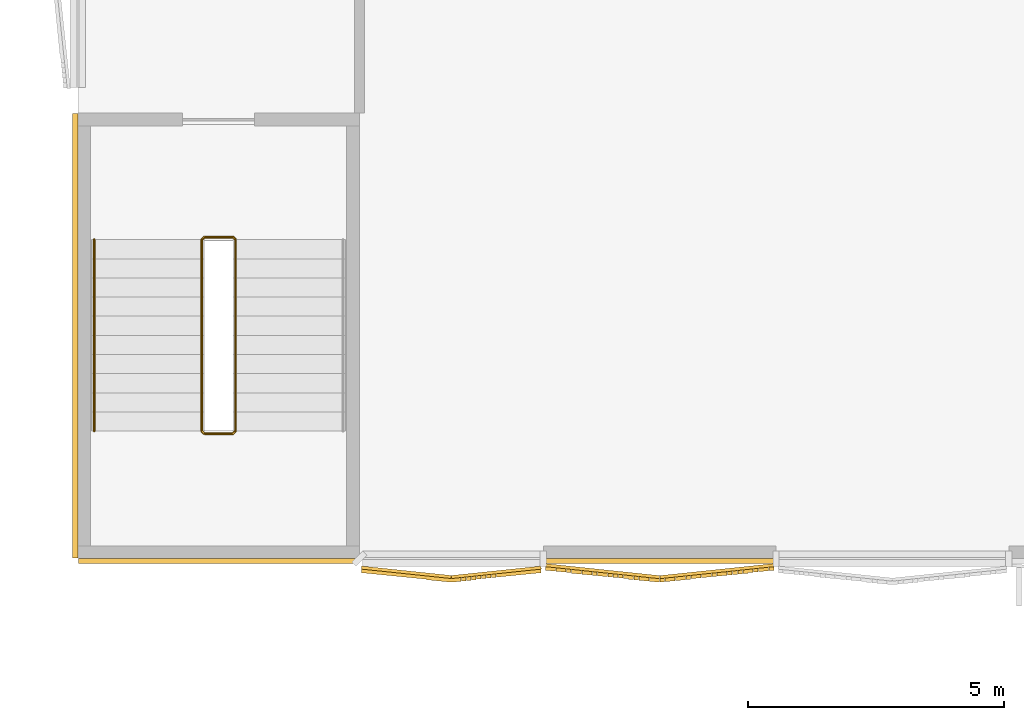
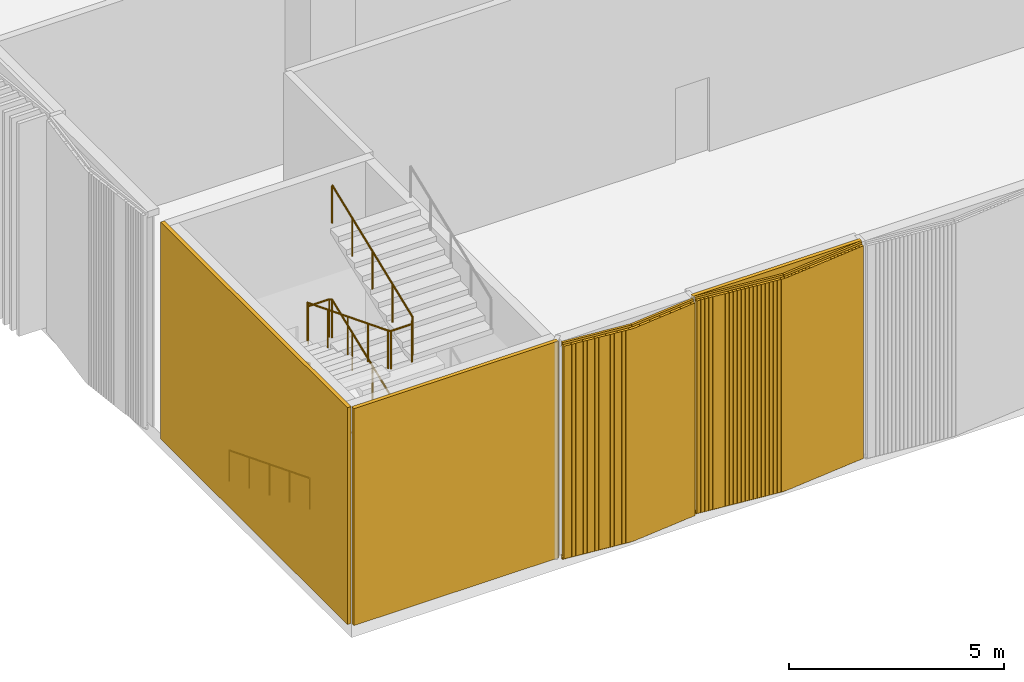
# One storey, part 20 of 32: 5 coverings, 3 railings.
"""IFC4 building model written with IfcOpenShell, lengths in metres."""

from ifc_helpers import new_model, si_unit, direction, frame, frame_2d, origin, origin_2d, place, context, subcontext, project, spatial, rectangle, circle, extrude, source, transform, mapped, material, layer, layer_set, type_object, element, save


model = new_model("IFC4")

# Units and contexts
model_context = context("Model", 3, precision=1e-05, world=origin(), true_north=direction((0.0, 1.0)))
body_context = subcontext(model_context, "Body", "Model", "MODEL_VIEW")
ifc_project = project(units=[si_unit("LENGTHUNIT", "METRE"), si_unit("AREAUNIT", "SQUARE_METRE"), si_unit("VOLUMEUNIT", "CUBIC_METRE"), si_unit("PLANEANGLEUNIT", "RADIAN"), si_unit("MASSUNIT", "GRAM", prefix="KILO")], contexts=[model_context])

# Site, building, storey
site_placement = place(None, origin())
site = spatial("IfcSite", under=ifc_project, at=site_placement, CompositionType="ELEMENT")
building_placement = place(site_placement, origin())
building = spatial("IfcBuilding", under=site, at=building_placement, Name="Tamra Quay Hotel Tower", CompositionType="ELEMENT")
storey_placement = place(building_placement, frame((0.0, 0.0, 7.5)))
storey = spatial("IfcBuildingStorey", under=building, at=storey_placement, Name="L01", CompositionType="ELEMENT", Elevation=7.5)

# Coverings
ifc_material_1 = material(Name="Precast concrete M60 terracotta-coloured pierced relief", Category="masonry")
ifc_layer = layer(ifc_material_1, 0.10009765625)
ifc_layer_set = layer_set([ifc_layer], Name="PIERCED RELIEF PANEL 100")
covering_type_1 = type_object("IfcCoveringType", Name="PIERCED RELIEF PANEL 100", PredefinedType="CLADDING", material=ifc_layer_set)
covering_1_placement = place(storey_placement, frame((-77.734619140625, -32.050048828125, 0.0), z_axis=(0.0, 0.0, 1.0), x_axis=(1.0, 0.0, 0.0)))
element("IfcCovering", 1, at=covering_1_placement, inside=storey, type_object=covering_type_1, Name="Relief panel L01.SW.12", PredefinedType="CLADDING", context=body_context, shape_type="SweptSolid", body=[
    extrude(rectangle(XDim=4.526123046875, YDim=0.10009765625, at=origin_2d()), origin(), (0.0, 0.0, 1.0), 6.14990234375),
])
covering_2_placement = place(storey_placement, frame((-89.14990234375, -27.64990234375, 0.0), z_axis=(0.0, 0.0, 1.0), x_axis=(0.0, -1.0, 0.0)))
element("IfcCovering", 2, at=covering_2_placement, inside=storey, type_object=covering_type_1, Name="Relief panel L01.PS2.2", PredefinedType="CLADDING", context=body_context, shape_type="SweptSolid", body=[
    extrude(rectangle(XDim=8.679931640625, YDim=0.10009765625, at=origin_2d()), origin(), (0.0, 0.0, 1.0), 6.14990234375),
])
covering_3_placement = place(storey_placement, frame((-86.35009765625, -32.050048828125, 0.0), z_axis=(0.0, 0.0, 1.0), x_axis=(1.0, 0.0, 0.0)))
element("IfcCovering", 3, at=covering_3_placement, inside=storey, type_object=covering_type_1, Name="Relief panel L01.PS2.3", PredefinedType="CLADDING", context=body_context, shape_type="SweptSolid", body=[
    extrude(rectangle(XDim=5.47998046875, YDim=0.10009765625, at=origin_2d()), origin(), (0.0, 0.0, 1.0), 6.14990234375),
])

# Railings
ifc_material_2 = material(Name="Stair guard 1100")
railing_type_1 = type_object("IfcRailingType", Name="Stair guard 1100", PredefinedType="GUARDRAIL", material=ifc_material_2)
railing_placement = place(storey_placement, frame((-86.070068359375, -25.719970703125, 0.0)))
element("IfcRailing", 4, at=railing_placement, inside=storey, type_object=railing_type_1, Name="GR", PredefinedType="GUARDRAIL", context=body_context, shape_type="SweptSolid", body=[
    extrude(circle(Radius=0.02392578125, at=origin_2d()), frame((0.0, 0.0, 1.076171875), z_axis=(-1.0, 0.0, 0.0), x_axis=(0.0, -1.0, 0.0)), (0.0, 0.0, 1.0), 0.559814453125),
    extrude(circle(Radius=0.02392578125, at=origin_2d()), frame((-0.559814453125, 0.0, 1.076171875), z_axis=(-0.305570493778, -0.305570493778, 0.901805603589), x_axis=(0.707106781187, -0.707106781187, 0.0)), (0.0, 0.0, 1.0), 0.163818359375),
    extrude(circle(Radius=0.02392578125, at=origin_2d()), frame((-0.60986328125, -0.050048828125, 1.2236328125), z_axis=(0.0, -0.930071711533, 0.367378022487), x_axis=(1.0, 0.0, 0.0)), (0.0, 0.0, 1.0), 4.021240234375),
    extrude(circle(Radius=0.02392578125, at=origin_2d()), frame((-0.60986328125, -3.7900390625, 2.701171875), z_axis=(0.707106781187, -0.707106781187, 0.0), x_axis=(0.707106781187, 0.707106781187, 0.0)), (0.0, 0.0, 1.0), 0.07080078125),
    extrude(circle(Radius=0.02392578125, at=origin_2d()), frame((-0.559814453125, -3.840087890625, 2.701171875), z_axis=(1.0, 0.0, 0.0), x_axis=(0.0, 1.0, 0.0)), (0.0, 0.0, 1.0), 0.559814453125),
    extrude(circle(Radius=0.02392578125, at=origin_2d()), frame((0.0, -3.840087890625, 2.701171875), z_axis=(0.305570493778, 0.305570493778, 0.901805603589), x_axis=(-0.707106781187, 0.707106781187, 0.0)), (0.0, 0.0, 1.0), 0.163818359375),
    extrude(circle(Radius=0.02392578125, at=origin_2d()), frame((0.050048828125, -3.7900390625, 2.8486328125), z_axis=(0.0, 0.930071711533, 0.367378022487), x_axis=(-1.0, 0.0, 0.0)), (0.0, 0.0, 1.0), 4.021240234375),
    extrude(circle(Radius=0.02392578125, at=origin_2d()), frame((0.050048828125, -0.050048828125, 4.326171875), z_axis=(-0.707106781187, 0.707106781187, 0.0), x_axis=(-0.707106781187, -0.707106781187, 0.0)), (0.0, 0.0, 1.0), 0.07080078125),
    extrude(circle(Radius=0.02392578125, at=origin_2d()), frame((0.0, 0.0, 4.326171875), z_axis=(-1.0, 0.0, 0.0), x_axis=(0.0, -1.0, 0.0)), (0.0, 0.0, 1.0), 0.559814453125),
    extrude(circle(Radius=0.02392578125, at=origin_2d()), frame((-0.559814453125, 0.0, 4.326171875), z_axis=(-0.305570493778, -0.305570493778, 0.901805603589), x_axis=(0.707106781187, -0.707106781187, 0.0)), (0.0, 0.0, 1.0), 0.163818359375),
    extrude(circle(Radius=0.02392578125, at=origin_2d()), frame((-0.60986328125, -0.050048828125, 4.4736328125), z_axis=(0.0, -0.930071711533, 0.367378022487), x_axis=(1.0, 0.0, 0.0)), (0.0, 0.0, 1.0), 4.021240234375),
    extrude(circle(Radius=0.02392578125, at=origin_2d()), frame((-0.60986328125, -3.7900390625, 5.951171875), z_axis=(0.707106781187, -0.707106781187, 0.0), x_axis=(0.707106781187, 0.707106781187, 0.0)), (0.0, 0.0, 1.0), 0.07080078125),
    extrude(circle(Radius=0.02392578125, at=origin_2d()), frame((-0.559814453125, -3.840087890625, 5.951171875), z_axis=(1.0, 0.0, 0.0), x_axis=(0.0, 1.0, 0.0)), (0.0, 0.0, 1.0), 0.559814453125),
    extrude(circle(Radius=0.02392578125, at=origin_2d()), frame((0.0, -3.840087890625, 5.951171875), z_axis=(0.305570493778, 0.305570493778, 0.901805603589), x_axis=(-0.707106781187, 0.707106781187, 0.0)), (0.0, 0.0, 1.0), 0.163818359375),
    extrude(circle(Radius=0.02392578125, at=origin_2d()), frame((0.050048828125, -3.7900390625, 6.0986328125), z_axis=(0.0, 0.930071711533, 0.367378022487), x_axis=(-1.0, 0.0, 0.0)), (0.0, 0.0, 1.0), 4.021240234375),
    extrude(circle(Radius=0.02099609375, at=origin_2d()), origin(), (0.0, 0.0, 1.0), 1.052001953125),
    extrude(circle(Radius=0.02099609375, at=origin_2d()), frame((-0.559814453125, 0.0, 0.0)), (0.0, 0.0, 1.0), 1.052001953125),
    extrude(circle(Radius=0.02099609375, at=origin_2d()), frame((-0.60986328125, -0.050048828125, 0.147705078125)), (0.0, 0.0, 1.0), 1.052001953125),
    extrude(circle(Radius=0.02099609375, at=origin_2d()), frame((-0.60986328125, -0.985107421875, 0.51708984375)), (0.0, 0.0, 1.0), 1.052001953125),
    extrude(circle(Radius=0.02099609375, at=origin_2d()), frame((-0.60986328125, -1.919921875, 0.88623046875)), (0.0, 0.0, 1.0), 1.052001953125),
    extrude(circle(Radius=0.02099609375, at=origin_2d()), frame((-0.60986328125, -2.85498046875, 1.255615234375)), (0.0, 0.0, 1.0), 1.052001953125),
    extrude(circle(Radius=0.02099609375, at=origin_2d()), frame((-0.60986328125, -3.7900390625, 1.625)), (0.0, 0.0, 1.0), 1.052001953125),
    extrude(circle(Radius=0.02099609375, at=origin_2d()), frame((-0.559814453125, -3.840087890625, 1.625)), (0.0, 0.0, 1.0), 1.052001953125),
    extrude(circle(Radius=0.02099609375, at=origin_2d()), frame((0.0, -3.840087890625, 1.625)), (0.0, 0.0, 1.0), 1.052001953125),
    extrude(circle(Radius=0.02099609375, at=origin_2d()), frame((0.050048828125, -3.7900390625, 1.772705078125)), (0.0, 0.0, 1.0), 1.052001953125),
    extrude(circle(Radius=0.02099609375, at=origin_2d()), frame((0.050048828125, -2.85498046875, 2.14208984375)), (0.0, 0.0, 1.0), 1.052001953125),
    extrude(circle(Radius=0.02099609375, at=origin_2d()), frame((0.050048828125, -1.919921875, 2.51123046875)), (0.0, 0.0, 1.0), 1.052001953125),
    extrude(circle(Radius=0.02099609375, at=origin_2d()), frame((0.050048828125, -0.985107421875, 2.880615234375)), (0.0, 0.0, 1.0), 1.052001953125),
    extrude(circle(Radius=0.02099609375, at=origin_2d()), frame((0.050048828125, -0.050048828125, 3.25)), (0.0, 0.0, 1.0), 1.052001953125),
    extrude(circle(Radius=0.02099609375, at=origin_2d()), frame((0.0, 0.0, 3.25)), (0.0, 0.0, 1.0), 1.052001953125),
    extrude(circle(Radius=0.02099609375, at=origin_2d()), frame((-0.559814453125, 0.0, 3.25)), (0.0, 0.0, 1.0), 1.052001953125),
    extrude(circle(Radius=0.02099609375, at=origin_2d()), frame((-0.60986328125, -0.050048828125, 3.397705078125)), (0.0, 0.0, 1.0), 1.052001953125),
    extrude(circle(Radius=0.02099609375, at=origin_2d()), frame((-0.60986328125, -0.985107421875, 3.76708984375)), (0.0, 0.0, 1.0), 1.052001953125),
    extrude(circle(Radius=0.02099609375, at=origin_2d()), frame((-0.60986328125, -1.919921875, 4.13623046875)), (0.0, 0.0, 1.0), 1.052001953125),
    extrude(circle(Radius=0.02099609375, at=origin_2d()), frame((-0.60986328125, -2.85498046875, 4.505615234375)), (0.0, 0.0, 1.0), 1.052001953125),
    extrude(circle(Radius=0.02099609375, at=origin_2d()), frame((-0.60986328125, -3.7900390625, 4.875)), (0.0, 0.0, 1.0), 1.052001953125),
    extrude(circle(Radius=0.02099609375, at=origin_2d()), frame((-0.559814453125, -3.840087890625, 4.875)), (0.0, 0.0, 1.0), 1.052001953125),
    extrude(circle(Radius=0.02099609375, at=origin_2d()), frame((0.0, -3.840087890625, 4.875)), (0.0, 0.0, 1.0), 1.052001953125),
    extrude(circle(Radius=0.02099609375, at=origin_2d()), frame((0.050048828125, -3.7900390625, 5.022705078125)), (0.0, 0.0, 1.0), 1.052001953125),
    extrude(circle(Radius=0.02099609375, at=origin_2d()), frame((0.050048828125, -2.85498046875, 5.39208984375)), (0.0, 0.0, 1.0), 1.052001953125),
    extrude(circle(Radius=0.02099609375, at=origin_2d()), frame((0.050048828125, -1.919921875, 5.76123046875)), (0.0, 0.0, 1.0), 1.052001953125),
    extrude(circle(Radius=0.02099609375, at=origin_2d()), frame((0.050048828125, -0.985107421875, 6.130615234375)), (0.0, 0.0, 1.0), 1.052001953125),
    extrude(circle(Radius=0.02099609375, at=origin_2d()), frame((0.050048828125, -0.050048828125, 6.5)), (0.0, 0.0, 1.0), 1.052001953125),
])
ifc_material_3 = material(Name="Stair handrail 900")
railing_type_2 = type_object("IfcRailingType", Name="Stair handrail 900", PredefinedType="HANDRAIL", material=ifc_material_3)
for number, where, name in (
    (5, (-88.780029296875, -25.77001953125, 0.147705078125), "HR"),
    (6, (-88.780029296875, -25.77001953125, 3.397705078125), "HR"),
):
    element("IfcRailing", number, at=place(storey_placement, frame(where)), inside=storey, type_object=railing_type_2, Name=name, PredefinedType="HANDRAIL", context=body_context, shape_type="SweptSolid", body=[
        extrude(circle(Radius=0.02392578125, at=origin_2d()), frame((0.0, 0.0, 0.8759765625), z_axis=(0.0, -0.930071711533, 0.367378022487), x_axis=(1.0, 0.0, 0.0)), (0.0, 0.0, 1.0), 4.021240234375),
        extrude(circle(Radius=0.02099609375, at=origin_2d()), origin(), (0.0, 0.0, 1.0), 0.851806640625),
        extrude(circle(Radius=0.02099609375, at=origin_2d()), frame((0.0, -0.93505859375, 0.369384765625)), (0.0, 0.0, 1.0), 0.851806640625),
        extrude(circle(Radius=0.02099609375, at=origin_2d()), frame((0.0, -1.8701171875, 0.73876953125)), (0.0, 0.0, 1.0), 0.851806640625),
        extrude(circle(Radius=0.02099609375, at=origin_2d()), frame((0.0, -2.804931640625, 1.10791015625)), (0.0, 0.0, 1.0), 0.851806640625),
        extrude(circle(Radius=0.02099609375, at=origin_2d()), frame((0.0, -3.739990234375, 1.477294921875)), (0.0, 0.0, 1.0), 0.851806640625),
    ])

# Coverings
ifc_material_4 = material(Name="Terracotta baguette extruded", Category="masonry")
covering_type_2 = type_object("IfcCoveringType", Name="BAGUETTE SCREEN PODIUM-SHALLOW H6150", PredefinedType="USERDEFINED", material=ifc_material_4)
shared_shape_1 = source(origin(), body_context, "Body", "SweptSolid", [
    extrude(rectangle(XDim=1.76220703125, YDim=0.06005859375, at=frame_2d((0.881103515625, 0.030029296875))), frame((-1.7587890625, -0.0576171875, -0.1201171875), z_axis=(0.0, 0.0, 1.0), x_axis=(0.994521895368, -0.104528463268, 0.0)), (0.0, 0.0, 1.0), 0.1201171875),
    extrude(rectangle(XDim=1.76220703125, YDim=0.06005859375, at=frame_2d((0.881103515625, 0.030029296875))), frame((-1.7587890625, -0.0576171875, -6.14990234375), z_axis=(0.0, 0.0, 1.0), x_axis=(0.994521895368, -0.104528463268, 0.0)), (0.0, 0.0, 1.0), 0.1201171875),
    extrude(rectangle(XDim=0.094970703125, YDim=0.10009765625, at=frame_2d((0.04736328125, 0.050048828125))), frame((-1.751220703125, -0.133056640625, -6.090087890625)), (0.0, 0.0, 1.0), 6.030029296875),
    extrude(rectangle(XDim=0.094970703125, YDim=0.10009765625, at=frame_2d((0.04736328125, 0.050048828125))), frame((-1.654052734375, -0.143310546875, -6.090087890625)), (0.0, 0.0, 1.0), 6.030029296875),
    extrude(rectangle(XDim=0.094970703125, YDim=0.10009765625, at=frame_2d((0.04736328125, 0.050048828125))), frame((-1.556640625, -0.153564453125, -6.090087890625)), (0.0, 0.0, 1.0), 6.030029296875),
    extrude(rectangle(XDim=0.094970703125, YDim=0.10009765625, at=frame_2d((0.04736328125, 0.050048828125))), frame((-1.459228515625, -0.163818359375, -6.090087890625)), (0.0, 0.0, 1.0), 6.030029296875),
    extrude(rectangle(XDim=0.094970703125, YDim=0.10009765625, at=frame_2d((0.04736328125, 0.050048828125))), frame((-1.36181640625, -0.174072265625, -6.090087890625)), (0.0, 0.0, 1.0), 6.030029296875),
    extrude(rectangle(XDim=0.094970703125, YDim=0.10009765625, at=frame_2d((0.04736328125, 0.050048828125))), frame((-1.264404296875, -0.184326171875, -6.090087890625)), (0.0, 0.0, 1.0), 6.030029296875),
    extrude(rectangle(XDim=0.094970703125, YDim=0.10009765625, at=frame_2d((0.04736328125, 0.050048828125))), frame((-1.167236328125, -0.194580078125, -6.090087890625)), (0.0, 0.0, 1.0), 6.030029296875),
    extrude(rectangle(XDim=0.094970703125, YDim=0.10009765625, at=frame_2d((0.04736328125, 0.050048828125))), frame((-1.06982421875, -0.204833984375, -6.090087890625)), (0.0, 0.0, 1.0), 6.030029296875),
    extrude(rectangle(XDim=0.094970703125, YDim=0.10009765625, at=frame_2d((0.04736328125, 0.050048828125))), frame((-0.972412109375, -0.215087890625, -6.090087890625)), (0.0, 0.0, 1.0), 6.030029296875),
    extrude(rectangle(XDim=0.094970703125, YDim=0.10009765625, at=frame_2d((0.04736328125, 0.050048828125))), frame((-0.875, -0.22509765625, -6.090087890625)), (0.0, 0.0, 1.0), 6.030029296875),
    extrude(rectangle(XDim=0.094970703125, YDim=0.10009765625, at=frame_2d((0.04736328125, 0.050048828125))), frame((-0.77783203125, -0.2353515625, -6.090087890625)), (0.0, 0.0, 1.0), 6.030029296875),
    extrude(rectangle(XDim=0.094970703125, YDim=0.10009765625, at=frame_2d((0.04736328125, 0.050048828125))), frame((-0.680419921875, -0.24560546875, -6.090087890625)), (0.0, 0.0, 1.0), 6.030029296875),
    extrude(rectangle(XDim=0.094970703125, YDim=0.10009765625, at=frame_2d((0.04736328125, 0.050048828125))), frame((-0.5830078125, -0.255859375, -6.090087890625)), (0.0, 0.0, 1.0), 6.030029296875),
    extrude(rectangle(XDim=0.094970703125, YDim=0.10009765625, at=frame_2d((0.04736328125, 0.050048828125))), frame((-0.485595703125, -0.26611328125, -6.090087890625)), (0.0, 0.0, 1.0), 6.030029296875),
    extrude(rectangle(XDim=0.094970703125, YDim=0.10009765625, at=frame_2d((0.04736328125, 0.050048828125))), frame((-0.38818359375, -0.2763671875, -6.090087890625)), (0.0, 0.0, 1.0), 6.030029296875),
    extrude(rectangle(XDim=0.094970703125, YDim=0.10009765625, at=frame_2d((0.04736328125, 0.050048828125))), frame((-0.291015625, -0.28662109375, -6.090087890625)), (0.0, 0.0, 1.0), 6.030029296875),
    extrude(rectangle(XDim=0.094970703125, YDim=0.10009765625, at=frame_2d((0.04736328125, 0.050048828125))), frame((-0.193603515625, -0.296875, -6.090087890625)), (0.0, 0.0, 1.0), 6.030029296875),
    extrude(rectangle(XDim=0.094970703125, YDim=0.10009765625, at=frame_2d((0.04736328125, 0.050048828125))), frame((-0.09619140625, -0.30712890625, -6.090087890625)), (0.0, 0.0, 1.0), 6.030029296875),
    extrude(rectangle(XDim=1.76220703125, YDim=0.06005859375, at=frame_2d((0.881103515625, 0.030029296875))), frame((0.00634765625, -0.241943359375, -0.1201171875), z_axis=(0.0, 0.0, 1.0), x_axis=(0.994521895368, 0.104528463268, 0.0)), (0.0, 0.0, 1.0), 0.1201171875),
    extrude(rectangle(XDim=1.76220703125, YDim=0.06005859375, at=frame_2d((0.881103515625, 0.030029296875))), frame((0.00634765625, -0.241943359375, -6.14990234375), z_axis=(0.0, 0.0, 1.0), x_axis=(0.994521895368, 0.104528463268, 0.0)), (0.0, 0.0, 1.0), 0.1201171875),
    extrude(rectangle(XDim=0.094970703125, YDim=0.10009765625, at=frame_2d((0.04736328125, 0.050048828125))), frame((0.001220703125, -0.30712890625, -6.090087890625)), (0.0, 0.0, 1.0), 6.030029296875),
    extrude(rectangle(XDim=0.094970703125, YDim=0.10009765625, at=frame_2d((0.04736328125, 0.050048828125))), frame((0.0986328125, -0.296875, -6.090087890625)), (0.0, 0.0, 1.0), 6.030029296875),
    extrude(rectangle(XDim=0.094970703125, YDim=0.10009765625, at=frame_2d((0.04736328125, 0.050048828125))), frame((0.19580078125, -0.28662109375, -6.090087890625)), (0.0, 0.0, 1.0), 6.030029296875),
    extrude(rectangle(XDim=0.094970703125, YDim=0.10009765625, at=frame_2d((0.04736328125, 0.050048828125))), frame((0.293212890625, -0.2763671875, -6.090087890625)), (0.0, 0.0, 1.0), 6.030029296875),
    extrude(rectangle(XDim=0.094970703125, YDim=0.10009765625, at=frame_2d((0.04736328125, 0.050048828125))), frame((0.390625, -0.26611328125, -6.090087890625)), (0.0, 0.0, 1.0), 6.030029296875),
    extrude(rectangle(XDim=0.094970703125, YDim=0.10009765625, at=frame_2d((0.04736328125, 0.050048828125))), frame((0.488037109375, -0.255859375, -6.090087890625)), (0.0, 0.0, 1.0), 6.030029296875),
    extrude(rectangle(XDim=0.094970703125, YDim=0.10009765625, at=frame_2d((0.04736328125, 0.050048828125))), frame((0.58544921875, -0.24560546875, -6.090087890625)), (0.0, 0.0, 1.0), 6.030029296875),
    extrude(rectangle(XDim=0.094970703125, YDim=0.10009765625, at=frame_2d((0.04736328125, 0.050048828125))), frame((0.6826171875, -0.2353515625, -6.090087890625)), (0.0, 0.0, 1.0), 6.030029296875),
    extrude(rectangle(XDim=0.094970703125, YDim=0.10009765625, at=frame_2d((0.04736328125, 0.050048828125))), frame((0.780029296875, -0.22509765625, -6.090087890625)), (0.0, 0.0, 1.0), 6.030029296875),
    extrude(rectangle(XDim=0.094970703125, YDim=0.10009765625, at=frame_2d((0.04736328125, 0.050048828125))), frame((0.87744140625, -0.215087890625, -6.090087890625)), (0.0, 0.0, 1.0), 6.030029296875),
    extrude(rectangle(XDim=0.094970703125, YDim=0.10009765625, at=frame_2d((0.04736328125, 0.050048828125))), frame((0.974853515625, -0.204833984375, -6.090087890625)), (0.0, 0.0, 1.0), 6.030029296875),
    extrude(rectangle(XDim=0.094970703125, YDim=0.10009765625, at=frame_2d((0.04736328125, 0.050048828125))), frame((1.072265625, -0.194580078125, -6.090087890625)), (0.0, 0.0, 1.0), 6.030029296875),
    extrude(rectangle(XDim=0.094970703125, YDim=0.10009765625, at=frame_2d((0.04736328125, 0.050048828125))), frame((1.16943359375, -0.184326171875, -6.090087890625)), (0.0, 0.0, 1.0), 6.030029296875),
    extrude(rectangle(XDim=0.094970703125, YDim=0.10009765625, at=frame_2d((0.04736328125, 0.050048828125))), frame((1.266845703125, -0.174072265625, -6.090087890625)), (0.0, 0.0, 1.0), 6.030029296875),
    extrude(rectangle(XDim=0.094970703125, YDim=0.10009765625, at=frame_2d((0.04736328125, 0.050048828125))), frame((1.3642578125, -0.163818359375, -6.090087890625)), (0.0, 0.0, 1.0), 6.030029296875),
    extrude(rectangle(XDim=0.094970703125, YDim=0.10009765625, at=frame_2d((0.04736328125, 0.050048828125))), frame((1.461669921875, -0.153564453125, -6.090087890625)), (0.0, 0.0, 1.0), 6.030029296875),
    extrude(rectangle(XDim=0.094970703125, YDim=0.10009765625, at=frame_2d((0.04736328125, 0.050048828125))), frame((1.55908203125, -0.143310546875, -6.090087890625)), (0.0, 0.0, 1.0), 6.030029296875),
    extrude(rectangle(XDim=0.094970703125, YDim=0.10009765625, at=frame_2d((0.04736328125, 0.050048828125))), frame((1.65625, -0.133056640625, -6.090087890625)), (0.0, 0.0, 1.0), 6.030029296875),
])
covering_4_placement = place(storey_placement, frame((-81.803955078125, -32.14794921875, 6.14990234375), z_axis=(0.0, 0.0, 1.0), x_axis=(1.0, 0.0, 0.0)))
element("IfcCovering", 7, at=covering_4_placement, inside=storey, type_object=covering_type_2, Name="Baguette screen L01.SW.f00", ObjectType="BAGUETTE SCREEN", PredefinedType="USERDEFINED", context=body_context, shape_type="MappedRepresentation", body=[
    mapped(shared_shape_1, transform((0.0, 0.0, 0.0), scale=1.0)),
])
covering_type_3 = type_object("IfcCoveringType", Name="BAGUETTE SCREEN SW-SHALLOW H6150", PredefinedType="USERDEFINED", material=ifc_material_4)
shared_shape_2 = source(origin(), body_context, "Body", "SweptSolid", [
    extrude(rectangle(XDim=2.244873046875, YDim=0.06005859375, at=frame_2d((1.12255859375, 0.030029296875))), frame((-2.23876953125, -0.0576171875, -0.1201171875), z_axis=(0.0, 0.0, 1.0), x_axis=(0.994521895368, -0.104528463268, 0.0)), (0.0, 0.0, 1.0), 0.1201171875),
    extrude(rectangle(XDim=2.244873046875, YDim=0.06005859375, at=frame_2d((1.12255859375, 0.030029296875))), frame((-2.23876953125, -0.0576171875, -6.14990234375), z_axis=(0.0, 0.0, 1.0), x_axis=(0.994521895368, -0.104528463268, 0.0)), (0.0, 0.0, 1.0), 0.1201171875),
    extrude(rectangle(XDim=0.094970703125, YDim=0.10009765625, at=frame_2d((0.04736328125, 0.050048828125))), frame((-2.229248046875, -0.13330078125, -6.090087890625)), (0.0, 0.0, 1.0), 6.030029296875),
    extrude(rectangle(XDim=0.094970703125, YDim=0.10009765625, at=frame_2d((0.04736328125, 0.050048828125))), frame((-2.127685546875, -0.14404296875, -6.090087890625)), (0.0, 0.0, 1.0), 6.030029296875),
    extrude(rectangle(XDim=0.094970703125, YDim=0.10009765625, at=frame_2d((0.04736328125, 0.050048828125))), frame((-2.0263671875, -0.154541015625, -6.090087890625)), (0.0, 0.0, 1.0), 6.030029296875),
    extrude(rectangle(XDim=0.094970703125, YDim=0.10009765625, at=frame_2d((0.04736328125, 0.050048828125))), frame((-1.9248046875, -0.165283203125, -6.090087890625)), (0.0, 0.0, 1.0), 6.030029296875),
    extrude(rectangle(XDim=0.094970703125, YDim=0.10009765625, at=frame_2d((0.04736328125, 0.050048828125))), frame((-1.8232421875, -0.176025390625, -6.090087890625)), (0.0, 0.0, 1.0), 6.030029296875),
    extrude(rectangle(XDim=0.094970703125, YDim=0.10009765625, at=frame_2d((0.04736328125, 0.050048828125))), frame((-1.721923828125, -0.186767578125, -6.090087890625)), (0.0, 0.0, 1.0), 6.030029296875),
    extrude(rectangle(XDim=0.094970703125, YDim=0.10009765625, at=frame_2d((0.04736328125, 0.050048828125))), frame((-1.620361328125, -0.197265625, -6.090087890625)), (0.0, 0.0, 1.0), 6.030029296875),
    extrude(rectangle(XDim=0.094970703125, YDim=0.10009765625, at=frame_2d((0.04736328125, 0.050048828125))), frame((-1.518798828125, -0.2080078125, -6.090087890625)), (0.0, 0.0, 1.0), 6.030029296875),
    extrude(rectangle(XDim=0.094970703125, YDim=0.10009765625, at=frame_2d((0.04736328125, 0.050048828125))), frame((-1.41748046875, -0.21875, -6.090087890625)), (0.0, 0.0, 1.0), 6.030029296875),
    extrude(rectangle(XDim=0.094970703125, YDim=0.10009765625, at=frame_2d((0.04736328125, 0.050048828125))), frame((-1.31591796875, -0.229248046875, -6.090087890625)), (0.0, 0.0, 1.0), 6.030029296875),
    extrude(rectangle(XDim=0.094970703125, YDim=0.10009765625, at=frame_2d((0.04736328125, 0.050048828125))), frame((-1.214599609375, -0.239990234375, -6.090087890625)), (0.0, 0.0, 1.0), 6.030029296875),
    extrude(rectangle(XDim=0.094970703125, YDim=0.10009765625, at=frame_2d((0.04736328125, 0.050048828125))), frame((-1.113037109375, -0.250732421875, -6.090087890625)), (0.0, 0.0, 1.0), 6.030029296875),
    extrude(rectangle(XDim=0.094970703125, YDim=0.10009765625, at=frame_2d((0.04736328125, 0.050048828125))), frame((-1.011474609375, -0.26123046875, -6.090087890625)), (0.0, 0.0, 1.0), 6.030029296875),
    extrude(rectangle(XDim=0.094970703125, YDim=0.10009765625, at=frame_2d((0.04736328125, 0.050048828125))), frame((-0.91015625, -0.27197265625, -6.090087890625)), (0.0, 0.0, 1.0), 6.030029296875),
    extrude(rectangle(XDim=0.094970703125, YDim=0.10009765625, at=frame_2d((0.04736328125, 0.050048828125))), frame((-0.80859375, -0.28271484375, -6.090087890625)), (0.0, 0.0, 1.0), 6.030029296875),
    extrude(rectangle(XDim=0.094970703125, YDim=0.10009765625, at=frame_2d((0.04736328125, 0.050048828125))), frame((-0.70703125, -0.293212890625, -6.090087890625)), (0.0, 0.0, 1.0), 6.030029296875),
    extrude(rectangle(XDim=0.094970703125, YDim=0.10009765625, at=frame_2d((0.04736328125, 0.050048828125))), frame((-0.605712890625, -0.303955078125, -6.090087890625)), (0.0, 0.0, 1.0), 6.030029296875),
    extrude(rectangle(XDim=0.094970703125, YDim=0.10009765625, at=frame_2d((0.04736328125, 0.050048828125))), frame((-0.504150390625, -0.314697265625, -6.090087890625)), (0.0, 0.0, 1.0), 6.030029296875),
    extrude(rectangle(XDim=0.094970703125, YDim=0.10009765625, at=frame_2d((0.04736328125, 0.050048828125))), frame((-0.402587890625, -0.325439453125, -6.090087890625)), (0.0, 0.0, 1.0), 6.030029296875),
    extrude(rectangle(XDim=0.094970703125, YDim=0.10009765625, at=frame_2d((0.04736328125, 0.050048828125))), frame((-0.30126953125, -0.3359375, -6.090087890625)), (0.0, 0.0, 1.0), 6.030029296875),
    extrude(rectangle(XDim=0.094970703125, YDim=0.10009765625, at=frame_2d((0.04736328125, 0.050048828125))), frame((-0.19970703125, -0.3466796875, -6.090087890625)), (0.0, 0.0, 1.0), 6.030029296875),
    extrude(rectangle(XDim=0.094970703125, YDim=0.10009765625, at=frame_2d((0.04736328125, 0.050048828125))), frame((-0.09814453125, -0.357421875, -6.090087890625)), (0.0, 0.0, 1.0), 6.030029296875),
    extrude(rectangle(XDim=2.244873046875, YDim=0.06005859375, at=frame_2d((1.12255859375, 0.030029296875))), frame((0.00634765625, -0.292236328125, -0.1201171875), z_axis=(0.0, 0.0, 1.0), x_axis=(0.994521895368, 0.104528463268, 0.0)), (0.0, 0.0, 1.0), 0.1201171875),
    extrude(rectangle(XDim=2.244873046875, YDim=0.06005859375, at=frame_2d((1.12255859375, 0.030029296875))), frame((0.00634765625, -0.292236328125, -6.14990234375), z_axis=(0.0, 0.0, 1.0), x_axis=(0.994521895368, 0.104528463268, 0.0)), (0.0, 0.0, 1.0), 0.1201171875),
    extrude(rectangle(XDim=0.094970703125, YDim=0.10009765625, at=frame_2d((0.04736328125, 0.050048828125))), frame((0.003173828125, -0.357421875, -6.090087890625)), (0.0, 0.0, 1.0), 6.030029296875),
    extrude(rectangle(XDim=0.094970703125, YDim=0.10009765625, at=frame_2d((0.04736328125, 0.050048828125))), frame((0.104736328125, -0.3466796875, -6.090087890625)), (0.0, 0.0, 1.0), 6.030029296875),
    extrude(rectangle(XDim=0.094970703125, YDim=0.10009765625, at=frame_2d((0.04736328125, 0.050048828125))), frame((0.206298828125, -0.3359375, -6.090087890625)), (0.0, 0.0, 1.0), 6.030029296875),
    extrude(rectangle(XDim=0.094970703125, YDim=0.10009765625, at=frame_2d((0.04736328125, 0.050048828125))), frame((0.3076171875, -0.325439453125, -6.090087890625)), (0.0, 0.0, 1.0), 6.030029296875),
    extrude(rectangle(XDim=0.094970703125, YDim=0.10009765625, at=frame_2d((0.04736328125, 0.050048828125))), frame((0.4091796875, -0.314697265625, -6.090087890625)), (0.0, 0.0, 1.0), 6.030029296875),
    extrude(rectangle(XDim=0.094970703125, YDim=0.10009765625, at=frame_2d((0.04736328125, 0.050048828125))), frame((0.510498046875, -0.303955078125, -6.090087890625)), (0.0, 0.0, 1.0), 6.030029296875),
    extrude(rectangle(XDim=0.094970703125, YDim=0.10009765625, at=frame_2d((0.04736328125, 0.050048828125))), frame((0.612060546875, -0.293212890625, -6.090087890625)), (0.0, 0.0, 1.0), 6.030029296875),
    extrude(rectangle(XDim=0.094970703125, YDim=0.10009765625, at=frame_2d((0.04736328125, 0.050048828125))), frame((0.713623046875, -0.28271484375, -6.090087890625)), (0.0, 0.0, 1.0), 6.030029296875),
    extrude(rectangle(XDim=0.094970703125, YDim=0.10009765625, at=frame_2d((0.04736328125, 0.050048828125))), frame((0.81494140625, -0.27197265625, -6.090087890625)), (0.0, 0.0, 1.0), 6.030029296875),
    extrude(rectangle(XDim=0.094970703125, YDim=0.10009765625, at=frame_2d((0.04736328125, 0.050048828125))), frame((0.91650390625, -0.26123046875, -6.090087890625)), (0.0, 0.0, 1.0), 6.030029296875),
    extrude(rectangle(XDim=0.094970703125, YDim=0.10009765625, at=frame_2d((0.04736328125, 0.050048828125))), frame((1.01806640625, -0.250732421875, -6.090087890625)), (0.0, 0.0, 1.0), 6.030029296875),
    extrude(rectangle(XDim=0.094970703125, YDim=0.10009765625, at=frame_2d((0.04736328125, 0.050048828125))), frame((1.119384765625, -0.239990234375, -6.090087890625)), (0.0, 0.0, 1.0), 6.030029296875),
    extrude(rectangle(XDim=0.094970703125, YDim=0.10009765625, at=frame_2d((0.04736328125, 0.050048828125))), frame((1.220947265625, -0.229248046875, -6.090087890625)), (0.0, 0.0, 1.0), 6.030029296875),
    extrude(rectangle(XDim=0.094970703125, YDim=0.10009765625, at=frame_2d((0.04736328125, 0.050048828125))), frame((1.322509765625, -0.21875, -6.090087890625)), (0.0, 0.0, 1.0), 6.030029296875),
    extrude(rectangle(XDim=0.094970703125, YDim=0.10009765625, at=frame_2d((0.04736328125, 0.050048828125))), frame((1.423828125, -0.2080078125, -6.090087890625)), (0.0, 0.0, 1.0), 6.030029296875),
    extrude(rectangle(XDim=0.094970703125, YDim=0.10009765625, at=frame_2d((0.04736328125, 0.050048828125))), frame((1.525390625, -0.197265625, -6.090087890625)), (0.0, 0.0, 1.0), 6.030029296875),
    extrude(rectangle(XDim=0.094970703125, YDim=0.10009765625, at=frame_2d((0.04736328125, 0.050048828125))), frame((1.626953125, -0.186767578125, -6.090087890625)), (0.0, 0.0, 1.0), 6.030029296875),
    extrude(rectangle(XDim=0.094970703125, YDim=0.10009765625, at=frame_2d((0.04736328125, 0.050048828125))), frame((1.728271484375, -0.176025390625, -6.090087890625)), (0.0, 0.0, 1.0), 6.030029296875),
    extrude(rectangle(XDim=0.094970703125, YDim=0.10009765625, at=frame_2d((0.04736328125, 0.050048828125))), frame((1.829833984375, -0.165283203125, -6.090087890625)), (0.0, 0.0, 1.0), 6.030029296875),
    extrude(rectangle(XDim=0.094970703125, YDim=0.10009765625, at=frame_2d((0.04736328125, 0.050048828125))), frame((1.931396484375, -0.154541015625, -6.090087890625)), (0.0, 0.0, 1.0), 6.030029296875),
    extrude(rectangle(XDim=0.094970703125, YDim=0.10009765625, at=frame_2d((0.04736328125, 0.050048828125))), frame((2.03271484375, -0.14404296875, -6.090087890625)), (0.0, 0.0, 1.0), 6.030029296875),
    extrude(rectangle(XDim=0.094970703125, YDim=0.10009765625, at=frame_2d((0.04736328125, 0.050048828125))), frame((2.13427734375, -0.13330078125, -6.090087890625)), (0.0, 0.0, 1.0), 6.030029296875),
])
covering_5_placement = place(storey_placement, frame((-77.734619140625, -32.10009765625, 6.14990234375), z_axis=(0.0, 0.0, 1.0), x_axis=(1.0, 0.0, 0.0)))
element("IfcCovering", 8, at=covering_5_placement, inside=storey, type_object=covering_type_3, Name="Baguette screen wing.L01.SW.12", ObjectType="BAGUETTE SCREEN", PredefinedType="USERDEFINED", context=body_context, shape_type="MappedRepresentation", body=[
    mapped(shared_shape_2, transform((0.0, 0.0, 0.0), scale=1.0)),
])

save(model, "model.ifc")
